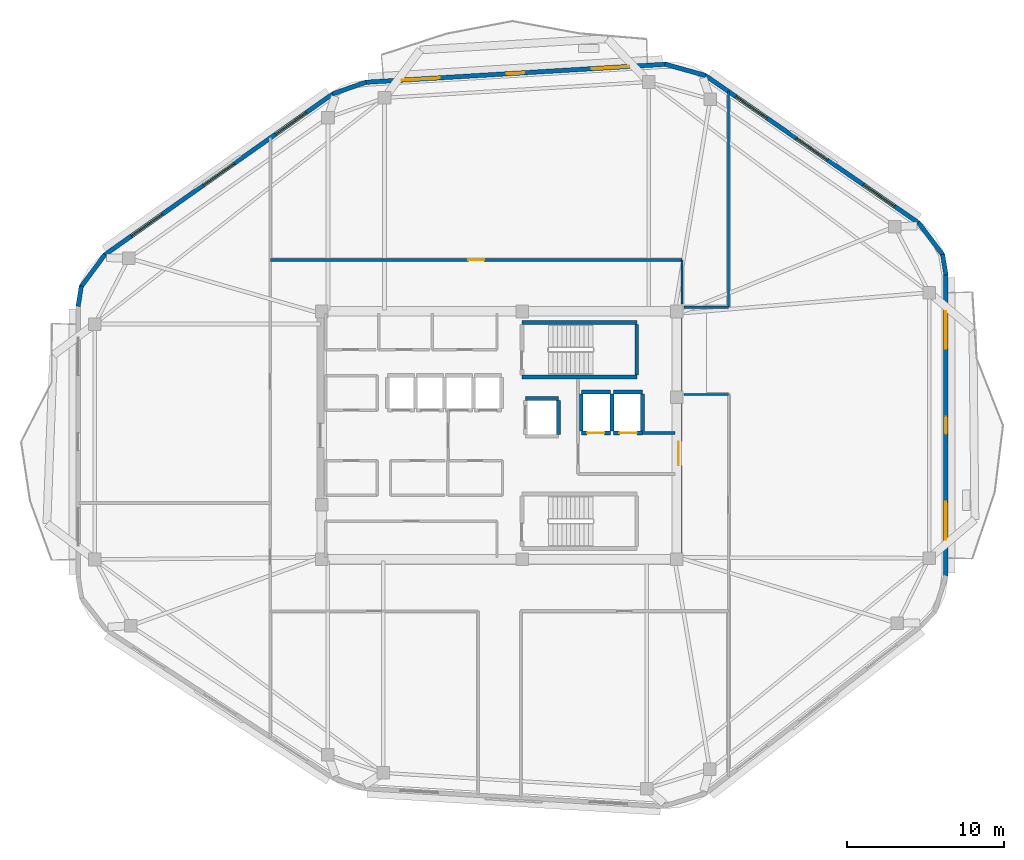
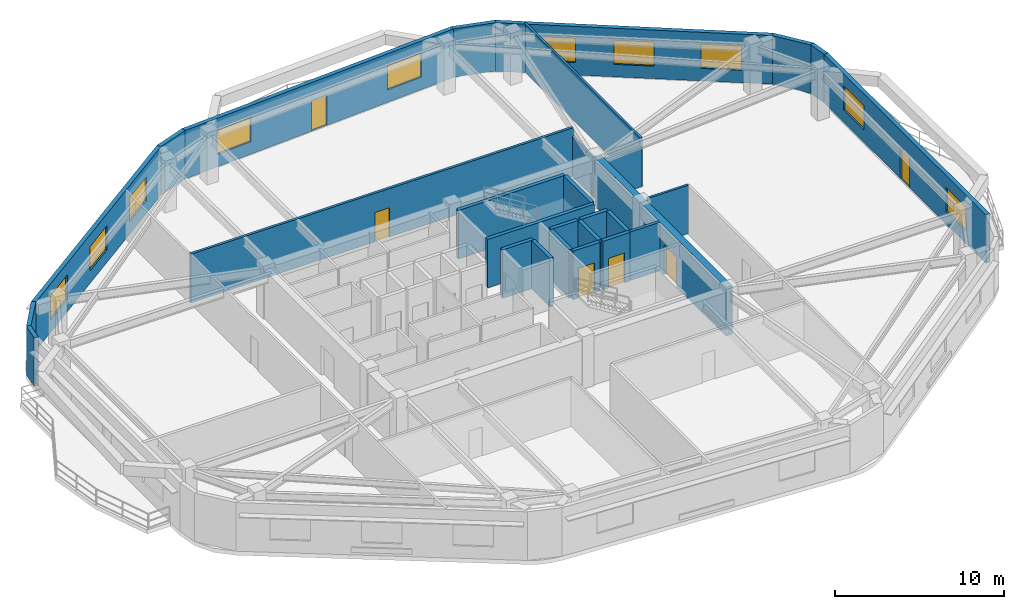
# One storey, part 5 of 9: 29 walls, 10 windows, 6 doors, 16 openings.
"""IFC4 building model written with IfcOpenShell, lengths in metres."""

from ifc_helpers import new_model, si_unit, direction, frame, frame_2d, origin, place, context, subcontext, project, spatial, rectangle, extrude, material, layer, layer_set, type_object, element, fill, save


model = new_model("IFC4")

# Units and contexts
model_context = context("Model", 3, precision=1e-05, world=origin(), true_north=direction((0.0, 1.0)))
body_context = subcontext(model_context, "Body", "Model", "MODEL_VIEW")
ifc_project = project(units=[si_unit("LENGTHUNIT", "METRE"), si_unit("AREAUNIT", "SQUARE_METRE"), si_unit("VOLUMEUNIT", "CUBIC_METRE"), si_unit("PLANEANGLEUNIT", "RADIAN"), si_unit("MASSUNIT", "GRAM", prefix="KILO")], contexts=[model_context])

# Site, building, storey
site_placement = place(None, origin())
site = spatial("IfcSite", under=ifc_project, at=site_placement, CompositionType="ELEMENT")
building_placement = place(site_placement, origin())
building = spatial("IfcBuilding", under=site, at=building_placement, Name="Zulverin Broadcast Headquarters", CompositionType="ELEMENT")
storey_placement = place(building_placement, frame((0.0, 0.0, 247.800048828125)))
storey = spatial("IfcBuildingStorey", under=building, at=storey_placement, Name="L63", CompositionType="ELEMENT", Elevation=247.800048828125)

# Wall, opening, door
ifc_material_1 = material(Name="Concrete C50/60", Category="concrete")
ifc_layer_1 = layer(ifc_material_1, 0.449951171875, Name="Concrete C50/60", Category="concrete")
ifc_layer_set_1 = layer_set([ifc_layer_1], Name="Concrete C50/60")
wall_type_1 = type_object("IfcWallType", Name="WL-CORE-450", PredefinedType="SHEAR", material=ifc_layer_set_1)
wall_1_placement = place(storey_placement, frame((48.375, 17.449951171875, 0.0), z_axis=(0.0, 0.0, 1.0), x_axis=(0.0, 1.0, 0.0)))
wall_1 = element("IfcWall", 1, at=wall_1_placement, inside=storey, type_object=wall_type_1, Name="L63 Core East Shear Wall", PredefinedType="SHEAR", context=body_context, shape_type="SweptSolid", body=[
    extrude(rectangle(XDim=15.5, YDim=0.449951171875, at=frame_2d((7.75, 0.0))), origin(), (0.0, 0.0, 1.0), 3.510009765625),
])
opening_1_placement = place(wall_1_placement, frame((5.85009765625, 0.0, 0.0)))
opening_1 = element("IfcOpeningElement", 2, at=opening_1_placement, cuts=wall_1, Name="Opening D-L63-CE1", PredefinedType="OPENING", context=body_context, shape_type="SweptSolid", body=[
    extrude(rectangle(XDim=1.5, YDim=2.14990234375, at=frame_2d((0.75, 1.074951171875))), frame((0.0, 0.23486328125, 0.0), z_axis=(0.0, -1.0, 0.0), x_axis=(1.0, 0.0, 0.0)), (0.0, 0.0, 1.0), 0.469970703125),
])
ifc_material_2 = material(Name="Fire-rated glazed steel frame", Category="steel")
door_type_1 = type_object("IfcDoorType", Name="DR-COR-1500", OperationType="DOUBLE_DOOR_SINGLE_SWING", PredefinedType="DOOR", material=ifc_material_2)
door_1_placement = place(opening_1_placement, origin())
door_1 = element("IfcDoor", 3, at=door_1_placement, inside=storey, type_object=door_type_1, Name="L63 Firefighting Lobby East Corridor Door", OperationType="DOUBLE_DOOR_SINGLE_SWING", OverallHeight=2.14990234375, OverallWidth=1.5, PredefinedType="DOOR", context=body_context, shape_type="SweptSolid", body=[
    extrude(rectangle(XDim=1.5, YDim=2.14990234375, at=frame_2d((0.75, 1.074951171875))), frame((0.0, 0.02490234375, 0.0), z_axis=(0.0, -1.0, 0.0), x_axis=(1.0, 0.0, 0.0)), (0.0, 0.0, 1.0), 0.050048828125),
])
fill(opening_1, door_1)

# Wall, openings, door, windows
ifc_material_3 = material(Name="Insulated pale-metal clad concrete spandrel C40/50", Category="concrete")
ifc_layer_2 = layer(ifc_material_3, 0.280029296875, Name="Insulated pale-metal clad concrete spandrel C40/50", Category="concrete")
ifc_layer_set_2 = layer_set([ifc_layer_2], Name="Insulated pale-metal clad concrete spandrel C40/50")
wall_type_2 = type_object("IfcWallType", Name="WL-EXT-280", PredefinedType="STANDARD", material=ifc_layer_set_2)
wall_2_placement = place(storey_placement, frame((65.360107421875, 16.2578125, 0.0), z_axis=(0.0, 0.0, 1.0), x_axis=(0.0, 1.0, 0.0)))
wall_2 = element("IfcWall", 4, at=wall_2_placement, inside=storey, type_object=wall_type_2, Name="L63 Pale-Metal Clad Spandrel Wall 3", PredefinedType="STANDARD", context=body_context, shape_type="SweptSolid", body=[
    extrude(rectangle(XDim=19.16796875, YDim=0.280029296875, at=frame_2d((9.583984375, 0.0))), origin(), (0.0, 0.0, 1.0), 3.510009765625),
])
opening_2_placement = place(wall_2_placement, frame((9.033935546875, 0.0, 0.0)))
opening_2 = element("IfcOpeningElement", 5, at=opening_2_placement, cuts=wall_2, Name="Opening D-L63-TR3", PredefinedType="OPENING", context=body_context, shape_type="SweptSolid", body=[
    extrude(rectangle(XDim=1.10009765625, YDim=2.199951171875, at=frame_2d((0.550048828125, 1.10009765625))), frame((0.0, 0.14990234375, 0.0), z_axis=(0.0, -1.0, 0.0), x_axis=(1.0, 0.0, 0.0)), (0.0, 0.0, 1.0), 0.300048828125),
])
opening_3_placement = place(wall_2_placement, frame((2.327880859375, 0.0, 0.89990234375)))
opening_3 = element("IfcOpeningElement", 6, at=opening_3_placement, cuts=wall_2, Name="Opening W-L63-E31", PredefinedType="OPENING", context=body_context, shape_type="SweptSolid", body=[
    extrude(rectangle(XDim=2.39990234375, YDim=1.75, at=frame_2d((1.199951171875, 0.875))), frame((0.0, 0.14990234375, 0.0), z_axis=(0.0, -1.0, 0.0), x_axis=(1.0, 0.0, 0.0)), (0.0, 0.0, 1.0), 0.300048828125),
])
opening_4_placement = place(wall_2_placement, frame((14.43994140625, 0.0, 0.89990234375)))
opening_4 = element("IfcOpeningElement", 7, at=opening_4_placement, cuts=wall_2, Name="Opening W-L63-E32", PredefinedType="OPENING", context=body_context, shape_type="SweptSolid", body=[
    extrude(rectangle(XDim=2.39990234375, YDim=1.75, at=frame_2d((1.199951171875, 0.875))), frame((0.0, 0.14990234375, 0.0), z_axis=(0.0, -1.0, 0.0), x_axis=(1.0, 0.0, 0.0)), (0.0, 0.0, 1.0), 0.300048828125),
])
ifc_material_4 = material(Name="Thermally broken aluminium glazed", Category="aluminium")
door_type_2 = type_object("IfcDoorType", Name="DR-TERR-1100", OperationType="SINGLE_SWING_RIGHT", PredefinedType="DOOR", material=ifc_material_4)
door_2_placement = place(opening_2_placement, origin())
door_2 = element("IfcDoor", 8, at=door_2_placement, inside=storey, type_object=door_type_2, Name="L63 Planted Terrace Glazed Access Door 3", OperationType="SINGLE_SWING_RIGHT", OverallHeight=2.199951171875, OverallWidth=1.10009765625, PredefinedType="DOOR", context=body_context, shape_type="SweptSolid", body=[
    extrude(rectangle(XDim=1.10009765625, YDim=2.199951171875, at=frame_2d((0.550048828125, 1.10009765625))), frame((0.0, 0.02490234375, 0.0), z_axis=(0.0, -1.0, 0.0), x_axis=(1.0, 0.0, 0.0)), (0.0, 0.0, 1.0), 0.050048828125),
])
fill(opening_2, door_2)
ifc_material_5 = material(Name="Pale anodized aluminium frame with solar-control low-E double glazing", Category="aluminium")
window_type = type_object("IfcWindowType", Name="WIN-RIB-2400", PartitioningType="SINGLE_PANEL", PredefinedType="WINDOW", material=ifc_material_5)
window_1_placement = place(opening_3_placement, origin())
window_1 = element("IfcWindow", 9, at=window_1_placement, inside=storey, type_object=window_type, Name="L63 Ribbon Glazing Window 3 1", OverallHeight=1.75, OverallWidth=2.39990234375, PartitioningType="SINGLE_PANEL", PredefinedType="WINDOW", context=body_context, shape_type="SweptSolid", body=[
    extrude(rectangle(XDim=2.39990234375, YDim=1.75, at=frame_2d((1.199951171875, 0.875))), frame((0.0, 0.030029296875, 0.0), z_axis=(0.0, -1.0, 0.0), x_axis=(1.0, 0.0, 0.0)), (0.0, 0.0, 1.0), 0.06005859375),
])
fill(opening_3, window_1)
window_2_placement = place(opening_4_placement, origin())
window_2 = element("IfcWindow", 10, at=window_2_placement, inside=storey, type_object=window_type, Name="L63 Ribbon Glazing Window 3 2", OverallHeight=1.75, OverallWidth=2.39990234375, PartitioningType="SINGLE_PANEL", PredefinedType="WINDOW", context=body_context, shape_type="SweptSolid", body=[
    extrude(rectangle(XDim=2.39990234375, YDim=1.75, at=frame_2d((1.199951171875, 0.875))), frame((0.0, 0.030029296875, 0.0), z_axis=(0.0, -1.0, 0.0), x_axis=(1.0, 0.0, 0.0)), (0.0, 0.0, 1.0), 0.06005859375),
])
fill(opening_4, window_2)

# Wall, openings, windows
wall_3_placement = place(storey_placement, frame((63.6513671875, 38.683349609375, 0.0), z_axis=(0.0, 0.0, 1.0), x_axis=(-0.822655095, 0.568540759022, 0.0)))
wall_3 = element("IfcWall", 11, at=wall_3_placement, inside=storey, type_object=wall_type_2, Name="L63 Pale-Metal Clad Spandrel Wall 4", PredefinedType="STANDARD", context=body_context, shape_type="SweptSolid", body=[
    extrude(rectangle(XDim=16.52783203125, YDim=0.280029296875, at=frame_2d((8.263916015625, 0.0))), origin(), (0.0, 0.0, 1.0), 3.510009765625),
])
opening_5_placement = place(wall_3_placement, frame((1.887939453125, 0.0, 0.89990234375)))
opening_5 = element("IfcOpeningElement", 12, at=opening_5_placement, cuts=wall_3, Name="Opening W-L63-E41", PredefinedType="OPENING", context=body_context, shape_type="SweptSolid", body=[
    extrude(rectangle(XDim=2.39990234375, YDim=1.75, at=frame_2d((1.199951171875, 0.875))), frame((0.0, 0.14990234375, 0.0), z_axis=(0.0, -1.0, 0.0), x_axis=(1.0, 0.0, 0.0)), (0.0, 0.0, 1.0), 0.300048828125),
])
opening_6_placement = place(wall_3_placement, frame((7.06396484375, 0.0, 0.89990234375)))
opening_6 = element("IfcOpeningElement", 13, at=opening_6_placement, cuts=wall_3, Name="Opening W-L63-E42", PredefinedType="OPENING", context=body_context, shape_type="SweptSolid", body=[
    extrude(rectangle(XDim=2.39990234375, YDim=1.75, at=frame_2d((1.199951171875, 0.875))), frame((0.0, 0.14990234375, 0.0), z_axis=(0.0, -1.0, 0.0), x_axis=(1.0, 0.0, 0.0)), (0.0, 0.0, 1.0), 0.300048828125),
])
opening_7_placement = place(wall_3_placement, frame((11.739990234375, 0.0, 0.89990234375)))
opening_7 = element("IfcOpeningElement", 14, at=opening_7_placement, cuts=wall_3, Name="Opening W-L63-E43", PredefinedType="OPENING", context=body_context, shape_type="SweptSolid", body=[
    extrude(rectangle(XDim=2.39990234375, YDim=1.75, at=frame_2d((1.199951171875, 0.875))), frame((0.0, 0.14990234375, 0.0), z_axis=(0.0, -1.0, 0.0), x_axis=(1.0, 0.0, 0.0)), (0.0, 0.0, 1.0), 0.300048828125),
])
window_3_placement = place(opening_5_placement, origin())
window_3 = element("IfcWindow", 15, at=window_3_placement, inside=storey, type_object=window_type, Name="L63 Ribbon Glazing Window 4 1", OverallHeight=1.75, OverallWidth=2.39990234375, PartitioningType="SINGLE_PANEL", PredefinedType="WINDOW", context=body_context, shape_type="SweptSolid", body=[
    extrude(rectangle(XDim=2.39990234375, YDim=1.75, at=frame_2d((1.199951171875, 0.875))), frame((0.0, 0.030029296875, 0.0), z_axis=(0.0, -1.0, 0.0), x_axis=(1.0, 0.0, 0.0)), (0.0, 0.0, 1.0), 0.06005859375),
])
fill(opening_5, window_3)
window_4_placement = place(opening_6_placement, origin())
window_4 = element("IfcWindow", 16, at=window_4_placement, inside=storey, type_object=window_type, Name="L63 Ribbon Glazing Window 4 2", OverallHeight=1.75, OverallWidth=2.39990234375, PartitioningType="SINGLE_PANEL", PredefinedType="WINDOW", context=body_context, shape_type="SweptSolid", body=[
    extrude(rectangle(XDim=2.39990234375, YDim=1.75, at=frame_2d((1.199951171875, 0.875))), frame((0.0, 0.030029296875, 0.0), z_axis=(0.0, -1.0, 0.0), x_axis=(1.0, 0.0, 0.0)), (0.0, 0.0, 1.0), 0.06005859375),
])
fill(opening_6, window_4)
window_5_placement = place(opening_7_placement, origin())
window_5 = element("IfcWindow", 17, at=window_5_placement, inside=storey, type_object=window_type, Name="L63 Ribbon Glazing Window 4 3", OverallHeight=1.75, OverallWidth=2.39990234375, PartitioningType="SINGLE_PANEL", PredefinedType="WINDOW", context=body_context, shape_type="SweptSolid", body=[
    extrude(rectangle(XDim=2.39990234375, YDim=1.75, at=frame_2d((1.199951171875, 0.875))), frame((0.0, 0.030029296875, 0.0), z_axis=(0.0, -1.0, 0.0), x_axis=(1.0, 0.0, 0.0)), (0.0, 0.0, 1.0), 0.06005859375),
])
fill(opening_7, window_5)

# Wall, openings, door, windows
wall_4_placement = place(storey_placement, frame((47.56591796875, 48.775390625, 0.0), z_axis=(0.0, 0.0, 1.0), x_axis=(-0.998202767485, -0.059926913695, 0.0)))
wall_4 = element("IfcWall", 18, at=wall_4_placement, inside=storey, type_object=wall_type_2, Name="L63 Pale-Metal Clad Spandrel Wall 5", PredefinedType="STANDARD", context=body_context, shape_type="SweptSolid", body=[
    extrude(rectangle(XDim=19.111083984375, YDim=0.280029296875, at=frame_2d((9.5556640625, 0.0))), origin(), (0.0, 0.0, 1.0), 3.510009765625),
])
opening_8_placement = place(wall_4_placement, frame((9.00537109375, 0.0, 0.0)))
opening_8 = element("IfcOpeningElement", 19, at=opening_8_placement, cuts=wall_4, Name="Opening D-L63-TR5", PredefinedType="OPENING", context=body_context, shape_type="SweptSolid", body=[
    extrude(rectangle(XDim=1.10009765625, YDim=2.199951171875, at=frame_2d((0.550048828125, 1.10009765625))), frame((0.0, 0.14990234375, 0.0), z_axis=(0.0, -1.0, 0.0), x_axis=(1.0, 0.0, 0.0)), (0.0, 0.0, 1.0), 0.300048828125),
])
opening_9_placement = place(wall_4_placement, frame((2.318603515625, 0.0, 0.89990234375)))
opening_9 = element("IfcOpeningElement", 20, at=opening_9_placement, cuts=wall_4, Name="Opening W-L63-E51", PredefinedType="OPENING", context=body_context, shape_type="SweptSolid", body=[
    extrude(rectangle(XDim=2.39990234375, YDim=1.75, at=frame_2d((1.199951171875, 0.875))), frame((0.0, 0.14990234375, 0.0), z_axis=(0.0, -1.0, 0.0), x_axis=(1.0, 0.0, 0.0)), (0.0, 0.0, 1.0), 0.300048828125),
])
opening_10_placement = place(wall_4_placement, frame((14.392333984375, 0.0, 0.89990234375)))
opening_10 = element("IfcOpeningElement", 21, at=opening_10_placement, cuts=wall_4, Name="Opening W-L63-E52", PredefinedType="OPENING", context=body_context, shape_type="SweptSolid", body=[
    extrude(rectangle(XDim=2.39990234375, YDim=1.75, at=frame_2d((1.199951171875, 0.875))), frame((0.0, 0.14990234375, 0.0), z_axis=(0.0, -1.0, 0.0), x_axis=(1.0, 0.0, 0.0)), (0.0, 0.0, 1.0), 0.300048828125),
])
door_3_placement = place(opening_8_placement, origin())
door_3 = element("IfcDoor", 22, at=door_3_placement, inside=storey, type_object=door_type_2, Name="L63 Planted Terrace Glazed Access Door 5", OperationType="SINGLE_SWING_RIGHT", OverallHeight=2.199951171875, OverallWidth=1.10009765625, PredefinedType="DOOR", context=body_context, shape_type="SweptSolid", body=[
    extrude(rectangle(XDim=1.10009765625, YDim=2.199951171875, at=frame_2d((0.550048828125, 1.10009765625))), frame((0.0, 0.02490234375, 0.0), z_axis=(0.0, -1.0, 0.0), x_axis=(1.0, 0.0, 0.0)), (0.0, 0.0, 1.0), 0.050048828125),
])
fill(opening_8, door_3)
window_6_placement = place(opening_9_placement, origin())
window_6 = element("IfcWindow", 23, at=window_6_placement, inside=storey, type_object=window_type, Name="L63 Ribbon Glazing Window 5 1", OverallHeight=1.75, OverallWidth=2.39990234375, PartitioningType="SINGLE_PANEL", PredefinedType="WINDOW", context=body_context, shape_type="SweptSolid", body=[
    extrude(rectangle(XDim=2.39990234375, YDim=1.75, at=frame_2d((1.199951171875, 0.875))), frame((0.0, 0.030029296875, 0.0), z_axis=(0.0, -1.0, 0.0), x_axis=(1.0, 0.0, 0.0)), (0.0, 0.0, 1.0), 0.06005859375),
])
fill(opening_9, window_6)
window_7_placement = place(opening_10_placement, origin())
window_7 = element("IfcWindow", 24, at=window_7_placement, inside=storey, type_object=window_type, Name="L63 Ribbon Glazing Window 5 2", OverallHeight=1.75, OverallWidth=2.39990234375, PartitioningType="SINGLE_PANEL", PredefinedType="WINDOW", context=body_context, shape_type="SweptSolid", body=[
    extrude(rectangle(XDim=2.39990234375, YDim=1.75, at=frame_2d((1.199951171875, 0.875))), frame((0.0, 0.030029296875, 0.0), z_axis=(0.0, -1.0, 0.0), x_axis=(1.0, 0.0, 0.0)), (0.0, 0.0, 1.0), 0.06005859375),
])
fill(opening_10, window_7)

# Wall, openings, windows
wall_5_placement = place(storey_placement, frame((26.443115234375, 46.91259765625, 0.0), z_axis=(0.0, 0.0, 1.0), x_axis=(-0.817024179766, -0.576603407619, 0.0)))
wall_5 = element("IfcWall", 25, at=wall_5_placement, inside=storey, type_object=wall_type_2, Name="L63 Pale-Metal Clad Spandrel Wall 6", PredefinedType="STANDARD", context=body_context, shape_type="SweptSolid", body=[
    extrude(rectangle(XDim=17.77978515625, YDim=0.280029296875, at=frame_2d((8.889892578125, 0.0))), origin(), (0.0, 0.0, 1.0), 3.510009765625),
])
opening_11_placement = place(wall_5_placement, frame((2.0966796875, 0.0, 0.89990234375)))
opening_11 = element("IfcOpeningElement", 26, at=opening_11_placement, cuts=wall_5, Name="Opening W-L63-E61", PredefinedType="OPENING", context=body_context, shape_type="SweptSolid", body=[
    extrude(rectangle(XDim=2.39990234375, YDim=1.75, at=frame_2d((1.199951171875, 0.875))), frame((0.0, 0.14990234375, 0.0), z_axis=(0.0, -1.0, 0.0), x_axis=(1.0, 0.0, 0.0)), (0.0, 0.0, 1.0), 0.300048828125),
])
opening_12_placement = place(wall_5_placement, frame((7.68994140625, 0.0, 0.89990234375)))
opening_12 = element("IfcOpeningElement", 27, at=opening_12_placement, cuts=wall_5, Name="Opening W-L63-E62", PredefinedType="OPENING", context=body_context, shape_type="SweptSolid", body=[
    extrude(rectangle(XDim=2.39990234375, YDim=1.75, at=frame_2d((1.199951171875, 0.875))), frame((0.0, 0.14990234375, 0.0), z_axis=(0.0, -1.0, 0.0), x_axis=(1.0, 0.0, 0.0)), (0.0, 0.0, 1.0), 0.300048828125),
])
opening_13_placement = place(wall_5_placement, frame((13.283203125, 0.0, 0.89990234375)))
opening_13 = element("IfcOpeningElement", 28, at=opening_13_placement, cuts=wall_5, Name="Opening W-L63-E63", PredefinedType="OPENING", context=body_context, shape_type="SweptSolid", body=[
    extrude(rectangle(XDim=2.39990234375, YDim=1.75, at=frame_2d((1.199951171875, 0.875))), frame((0.0, 0.14990234375, 0.0), z_axis=(0.0, -1.0, 0.0), x_axis=(1.0, 0.0, 0.0)), (0.0, 0.0, 1.0), 0.300048828125),
])
window_8_placement = place(opening_11_placement, origin())
window_8 = element("IfcWindow", 29, at=window_8_placement, inside=storey, type_object=window_type, Name="L63 Ribbon Glazing Window 6 1", OverallHeight=1.75, OverallWidth=2.39990234375, PartitioningType="SINGLE_PANEL", PredefinedType="WINDOW", context=body_context, shape_type="SweptSolid", body=[
    extrude(rectangle(XDim=2.39990234375, YDim=1.75, at=frame_2d((1.199951171875, 0.875))), frame((0.0, 0.030029296875, 0.0), z_axis=(0.0, -1.0, 0.0), x_axis=(1.0, 0.0, 0.0)), (0.0, 0.0, 1.0), 0.06005859375),
])
fill(opening_11, window_8)
window_9_placement = place(opening_12_placement, origin())
window_9 = element("IfcWindow", 30, at=window_9_placement, inside=storey, type_object=window_type, Name="L63 Ribbon Glazing Window 6 2", OverallHeight=1.75, OverallWidth=2.39990234375, PartitioningType="SINGLE_PANEL", PredefinedType="WINDOW", context=body_context, shape_type="SweptSolid", body=[
    extrude(rectangle(XDim=2.39990234375, YDim=1.75, at=frame_2d((1.199951171875, 0.875))), frame((0.0, 0.030029296875, 0.0), z_axis=(0.0, -1.0, 0.0), x_axis=(1.0, 0.0, 0.0)), (0.0, 0.0, 1.0), 0.06005859375),
])
fill(opening_12, window_9)
window_10_placement = place(opening_13_placement, origin())
window_10 = element("IfcWindow", 31, at=window_10_placement, inside=storey, type_object=window_type, Name="L63 Ribbon Glazing Window 6 3", OverallHeight=1.75, OverallWidth=2.39990234375, PartitioningType="SINGLE_PANEL", PredefinedType="WINDOW", context=body_context, shape_type="SweptSolid", body=[
    extrude(rectangle(XDim=2.39990234375, YDim=1.75, at=frame_2d((1.199951171875, 0.875))), frame((0.0, 0.030029296875, 0.0), z_axis=(0.0, -1.0, 0.0), x_axis=(1.0, 0.0, 0.0)), (0.0, 0.0, 1.0), 0.06005859375),
])
fill(opening_13, window_10)

# Walls
wall_6_placement = place(storey_placement, frame((65.36181640625, 35.4033203125, 0.0), z_axis=(0.0, 0.0, 1.0), x_axis=(-0.160271674114, 0.987072940809, 0.0)))
element("IfcWall", 32, at=wall_6_placement, inside=storey, type_object=wall_type_2, Name="L63 Wind-Shaped Corner Spandrel Wall 3-1", PredefinedType="STANDARD", context=body_context, shape_type="SweptSolid", body=[
    extrude(rectangle(XDim=1.314697265625, YDim=0.280029296875, at=frame_2d((0.6572265625, 0.0))), origin(), (0.0, 0.0, 1.0), 3.510009765625),
])
wall_7_placement = place(storey_placement, frame((65.17724609375, 36.63916015625, 0.0), z_axis=(0.0, 0.0, 1.0), x_axis=(-0.600436386467, 0.799672524104, 0.0)))
element("IfcWall", 33, at=wall_7_placement, inside=storey, type_object=wall_type_2, Name="L63 Wind-Shaped Corner Spandrel Wall 3-2", PredefinedType="STANDARD", context=body_context, shape_type="SweptSolid", body=[
    extrude(rectangle(XDim=2.595458984375, YDim=0.280029296875, at=frame_2d((1.2978515625, 0.0))), origin(), (0.0, 0.0, 1.0), 3.510009765625),
])
wall_8_placement = place(storey_placement, frame((50.096435546875, 48.060546875, 0.0), z_axis=(0.0, 0.0, 1.0), x_axis=(-0.963108887091, 0.269112005688, 0.0)))
element("IfcWall", 34, at=wall_8_placement, inside=storey, type_object=wall_type_2, Name="L63 Wind-Shaped Corner Spandrel Wall 4-1", PredefinedType="STANDARD", context=body_context, shape_type="SweptSolid", body=[
    extrude(rectangle(XDim=2.67529296875, YDim=0.280029296875, at=frame_2d((1.337646484375, 0.0))), origin(), (0.0, 0.0, 1.0), 3.510009765625),
])
wall_9_placement = place(storey_placement, frame((28.527099609375, 47.6376953125, 0.0), z_axis=(0.0, 0.0, 1.0), x_axis=(-0.943686979207, -0.330839667022, 0.0)))
element("IfcWall", 35, at=wall_9_placement, inside=storey, type_object=wall_type_2, Name="L63 Wind-Shaped Corner Spandrel Wall 5-1", PredefinedType="STANDARD", context=body_context, shape_type="SweptSolid", body=[
    extrude(rectangle(XDim=2.244873046875, YDim=0.280029296875, at=frame_2d((1.12255859375, 0.0))), origin(), (0.0, 0.0, 1.0), 3.510009765625),
])
wall_10_placement = place(storey_placement, frame((11.948486328125, 36.69189453125, 0.0), z_axis=(0.0, 0.0, 1.0), x_axis=(-0.595170751493, -0.803599263668, 0.0)))
element("IfcWall", 36, at=wall_10_placement, inside=storey, type_object=wall_type_2, Name="L63 Wind-Shaped Corner Spandrel Wall 6-1", PredefinedType="STANDARD", context=body_context, shape_type="SweptSolid", body=[
    extrude(rectangle(XDim=2.56982421875, YDim=0.280029296875, at=frame_2d((1.284912109375, 0.0))), origin(), (0.0, 0.0, 1.0), 3.510009765625),
])
wall_11_placement = place(storey_placement, frame((10.444580078125, 34.68798828125, 0.0), z_axis=(0.0, 0.0, 1.0), x_axis=(-0.158524605336, -0.987355027081, 0.0)))
element("IfcWall", 37, at=wall_11_placement, inside=storey, type_object=wall_type_2, Name="L63 Wind-Shaped Corner Spandrel Wall 6-2", PredefinedType="STANDARD", context=body_context, shape_type="SweptSolid", body=[
    extrude(rectangle(XDim=1.30126953125, YDim=0.280029296875, at=frame_2d((0.650634765625, 0.0))), origin(), (0.0, 0.0, 1.0), 3.510009765625),
])
ifc_material_6 = material(Name="Concrete C40/50", Category="concrete")
ifc_layer_3 = layer(ifc_material_6, 0.199951171875, Name="Concrete C40/50", Category="concrete")
ifc_layer_set_3 = layer_set([ifc_layer_3], Name="Concrete C40/50")
wall_type_3 = type_object("IfcWallType", Name="WL-FFL-200", PredefinedType="SOLIDWALL", material=ifc_layer_set_3)
wall_12_placement = place(storey_placement, frame((46.10009765625, 25.35009765625, 0.0), z_axis=(0.0, 0.0, 1.0), x_axis=(1.0, 0.0, 0.0)))
element("IfcWall", 38, at=wall_12_placement, inside=storey, type_object=wall_type_3, Name="L63 Firefighting Lift Lobby North Wall", PredefinedType="SOLIDWALL", context=body_context, shape_type="SweptSolid", body=[
    extrude(rectangle(XDim=2.0498046875, YDim=0.199951171875, at=frame_2d((1.02490234375, 0.0))), origin(), (0.0, 0.0, 1.0), 3.510009765625),
])
ifc_material_7 = material(Name="Fire-rated gypsum stud partition", Category="gypsum")
ifc_layer_4 = layer(ifc_material_7, 0.14990234375, Name="Fire-rated gypsum stud partition", Category="gypsum")
ifc_layer_set_4 = layer_set([ifc_layer_4], Name="Fire-rated gypsum stud partition")
wall_type_4 = type_object("IfcWallType", Name="WL-PART-150", PredefinedType="PARTITIONING", material=ifc_layer_set_4)
wall_13_placement = place(storey_placement, frame((51.550048828125, 33.35009765625, 0.0), z_axis=(0.0, 0.0, 1.0), x_axis=(0.0, 1.0, 0.0)))
element("IfcWall", 39, at=wall_13_placement, inside=storey, type_object=wall_type_4, Name="L63 Room Partition Wall RP-02", PredefinedType="PARTITIONING", context=body_context, shape_type="SweptSolid", body=[
    extrude(rectangle(XDim=13.726806640625, YDim=0.14990234375, at=frame_2d((6.86328125, 0.0))), origin(), (0.0, 0.0, 1.0), 3.510009765625),
])
wall_14_placement = place(storey_placement, frame((48.60009765625, 33.5400390625, 0.0), z_axis=(0.0, 0.0, 1.0), x_axis=(0.0, 1.0, 0.0)))
element("IfcWall", 40, at=wall_14_placement, inside=storey, type_object=wall_type_4, Name="L63 Gallery Partition Wall CG-03", PredefinedType="PARTITIONING", context=body_context, shape_type="SweptSolid", body=[
    extrude(rectangle(XDim=2.81005859375, YDim=0.14990234375, at=frame_2d((1.405029296875, 0.0))), origin(), (0.0, 0.0, 1.0), 2.892822265625),
])
wall_15_placement = place(storey_placement, frame((48.739990234375, 27.800048828125, 0.0), z_axis=(0.0, 0.0, 1.0), x_axis=(1.0, 0.0, 0.0)))
element("IfcWall", 41, at=wall_15_placement, inside=storey, type_object=wall_type_4, Name="L63 Gallery Partition Wall CG-10", PredefinedType="PARTITIONING", context=body_context, shape_type="SweptSolid", body=[
    extrude(rectangle(XDim=2.81005859375, YDim=0.14990234375, at=frame_2d((1.405029296875, 0.0))), origin(), (0.0, 0.0, 1.0), 3.510009765625),
])
wall_16_placement = place(storey_placement, frame((48.739990234375, 33.35009765625, 0.0), z_axis=(0.0, 0.0, 1.0), x_axis=(1.0, 0.0, 0.0)))
element("IfcWall", 42, at=wall_16_placement, inside=storey, type_object=wall_type_4, Name="L63 Room Partition Wall RP-11", PredefinedType="PARTITIONING", context=body_context, shape_type="SweptSolid", body=[
    extrude(rectangle(XDim=2.81005859375, YDim=0.14990234375, at=frame_2d((1.405029296875, 0.0))), origin(), (0.0, 0.0, 1.0), 2.892822265625),
])

# Wall, opening, door
ifc_material_8 = material(Name="Fire-rated acoustic stud wall", Category="gypsum")
ifc_layer_5 = layer(ifc_material_8, 0.175048828125, Name="Fire-rated acoustic stud wall", Category="gypsum")
ifc_layer_set_5 = layer_set([ifc_layer_5], Name="Fire-rated acoustic stud wall")
wall_type_5 = type_object("IfcWallType", Name="WL-PART-175", PredefinedType="PARTITIONING", material=ifc_layer_set_5)
wall_17_placement = place(storey_placement, frame((22.449951171875, 36.35009765625, 0.0), z_axis=(0.0, 0.0, 1.0), x_axis=(1.0, 0.0, 0.0)))
wall_17 = element("IfcWall", 43, at=wall_17_placement, inside=storey, type_object=wall_type_5, Name="L63 Gallery Partition Wall CG-12", PredefinedType="PARTITIONING", context=body_context, shape_type="SweptSolid", body=[
    extrude(rectangle(XDim=26.150146484375, YDim=0.175048828125, at=frame_2d((13.0751953125, 0.0))), origin(), (0.0, 0.0, 1.0), 3.510009765625),
])
opening_14_placement = place(wall_17_placement, frame((12.574951171875, 0.0, 0.0)))
opening_14 = element("IfcOpeningElement", 44, at=opening_14_placement, cuts=wall_17, Name="Opening D-L63-01", PredefinedType="OPENING", context=body_context, shape_type="SweptSolid", body=[
    extrude(rectangle(XDim=1.0, YDim=2.1201171875, at=frame_2d((0.5, 1.06005859375))), frame((0.0, 0.097412109375, 0.0), z_axis=(0.0, -1.0, 0.0), x_axis=(1.0, 0.0, 0.0)), (0.0, 0.0, 1.0), 0.195068359375),
])
ifc_material_9 = material(Name="Hardwood veneer acoustic leaf", Category="wood")
door_type_3 = type_object("IfcDoorType", Name="DR-OFF-1000", OperationType="SINGLE_SWING_LEFT", PredefinedType="DOOR", material=ifc_material_9)
door_4_placement = place(opening_14_placement, origin())
door_4 = element("IfcDoor", 45, at=door_4_placement, inside=storey, type_object=door_type_3, Name="L63 Global Broadcast Command Workplace Door", OperationType="SINGLE_SWING_RIGHT", OverallHeight=2.1201171875, OverallWidth=1.0, PredefinedType="DOOR", context=body_context, shape_type="SweptSolid", body=[
    extrude(rectangle(XDim=1.0, YDim=2.1201171875, at=frame_2d((0.5, 1.06005859375))), frame((0.0, 0.02490234375, 0.0), z_axis=(0.0, -1.0, 0.0), x_axis=(1.0, 0.0, 0.0)), (0.0, 0.0, 1.0), 0.050048828125),
])
fill(opening_14, door_4)

# Walls
ifc_layer_6 = layer(ifc_material_1, 0.25, Name="Concrete C50/60", Category="concrete")
ifc_layer_set_6 = layer_set([ifc_layer_6], Name="Concrete C50/60")
wall_type_6 = type_object("IfcWallType", Name="WL-SHAFT-250", PredefinedType="SHEAR", material=ifc_layer_set_6)
for number, where, z_axis, x_axis, name in (
    (46, (38.425048828125, 28.925048828125, 0.0), (0.0, 0.0, 1.0), (1.0, 0.0, 0.0), "L63 ST-1 Enclosure Wall S"),
    (47, (38.425048828125, 32.375, 0.0), (0.0, 0.0, 1.0), (1.0, 0.0, 0.0), "L63 ST-1 Enclosure Wall N"),
):
    element("IfcWall", number, at=place(storey_placement, frame(where, z_axis=z_axis, x_axis=x_axis)), inside=storey, type_object=wall_type_6, Name=name, PredefinedType="SHEAR", context=body_context, shape_type="SweptSolid", body=[
        extrude(rectangle(XDim=7.300048828125, YDim=0.25, at=frame_2d((3.64990234375, 0.0))), origin(), (0.0, 0.0, 1.0), 3.510009765625),
    ])
wall_18_placement = place(storey_placement, frame((45.72509765625, 29.050048828125, 0.0), z_axis=(0.0, 0.0, 1.0), x_axis=(0.0, 1.0, 0.0)))
element("IfcWall", 48, at=wall_18_placement, inside=storey, type_object=wall_type_6, Name="L63 ST-1 Enclosure Wall E", PredefinedType="SHEAR", context=body_context, shape_type="SweptSolid", body=[
    extrude(rectangle(XDim=3.199951171875, YDim=0.25, at=frame_2d((1.60009765625, 0.0))), origin(), (0.0, 0.0, 1.0), 3.510009765625),
])

# Wall, opening, door
wall_19_placement = place(storey_placement, frame((42.199951171875, 25.35009765625, 0.0), z_axis=(0.0, 0.0, 1.0), x_axis=(1.0, 0.0, 0.0)))
wall_19 = element("IfcWall", 49, at=wall_19_placement, inside=storey, type_object=wall_type_6, Name="L63 Lift FFL-1 Shaft Wall S", PredefinedType="SHEAR", context=body_context, shape_type="SweptSolid", body=[
    extrude(rectangle(XDim=1.85009765625, YDim=0.25, at=frame_2d((0.925048828125, 0.0))), origin(), (0.0, 0.0, 1.0), 3.510009765625),
])
opening_15_placement = place(wall_19_placement, frame((0.375, 0.0, 0.0)))
opening_15 = element("IfcOpeningElement", 50, at=opening_15_placement, cuts=wall_19, Name="Opening LD-FFL-1-L63", PredefinedType="OPENING", context=body_context, shape_type="SweptSolid", body=[
    extrude(rectangle(XDim=1.10009765625, YDim=2.14990234375, at=frame_2d((0.550048828125, 1.074951171875))), frame((0.0, 0.135009765625, 0.0), z_axis=(0.0, -1.0, 0.0), x_axis=(1.0, 0.0, 0.0)), (0.0, 0.0, 1.0), 0.27001953125),
])
ifc_material_10 = material(Name="Fire-rated stainless landing door", Category="steel")
door_type_4 = type_object("IfcDoorType", Name="LD-FFL-1100", OperationType="DOUBLE_DOOR_SLIDING", PredefinedType="DOOR", material=ifc_material_10)
door_5_placement = place(opening_15_placement, origin())
door_5 = element("IfcDoor", 51, at=door_5_placement, inside=storey, type_object=door_type_4, Name="L63 Lift FFL-1 Sliding Landing Door", OperationType="DOUBLE_DOOR_SLIDING", OverallHeight=2.14990234375, OverallWidth=1.10009765625, PredefinedType="DOOR", context=body_context, shape_type="SweptSolid", body=[
    extrude(rectangle(XDim=1.10009765625, YDim=2.14990234375, at=frame_2d((0.550048828125, 1.074951171875))), frame((0.0, 0.02490234375, 0.0), z_axis=(0.0, -1.0, 0.0), x_axis=(1.0, 0.0, 0.0)), (0.0, 0.0, 1.0), 0.050048828125),
])
fill(opening_15, door_5)

# Walls
wall_20_placement = place(storey_placement, frame((42.199951171875, 27.949951171875, 0.0), z_axis=(0.0, 0.0, 1.0), x_axis=(1.0, 0.0, 0.0)))
element("IfcWall", 52, at=wall_20_placement, inside=storey, type_object=wall_type_6, Name="L63 Lift FFL-1 Shaft Wall N", PredefinedType="SHEAR", context=body_context, shape_type="SweptSolid", body=[
    extrude(rectangle(XDim=1.85009765625, YDim=0.25, at=frame_2d((0.925048828125, 0.0))), origin(), (0.0, 0.0, 1.0), 3.510009765625),
])
for number, where, z_axis, x_axis, name in (
    (53, (42.199951171875, 25.469970703125, 0.0), (0.0, 0.0, 1.0), (0.0, 1.0, 0.0), "L63 Lift FFL-1 Shaft Wall W"),
    (54, (44.14990234375, 25.469970703125, 0.0), (0.0, 0.0, 1.0), (0.0, 1.0, 0.0), "L63 Lift FFL-1 Shaft Wall E"),
):
    element("IfcWall", number, at=place(storey_placement, frame(where, z_axis=z_axis, x_axis=x_axis)), inside=storey, type_object=wall_type_6, Name=name, PredefinedType="SHEAR", context=body_context, shape_type="SweptSolid", body=[
        extrude(rectangle(XDim=2.360107421875, YDim=0.25, at=frame_2d((1.18017578125, 0.0))), origin(), (0.0, 0.0, 1.0), 3.510009765625),
    ])

# Wall, opening, door
wall_21_placement = place(storey_placement, frame((44.25, 25.35009765625, 0.0), z_axis=(0.0, 0.0, 1.0), x_axis=(1.0, 0.0, 0.0)))
wall_21 = element("IfcWall", 55, at=wall_21_placement, inside=storey, type_object=wall_type_6, Name="L63 Lift FFL-2 Shaft Wall S", PredefinedType="SHEAR", context=body_context, shape_type="SweptSolid", body=[
    extrude(rectangle(XDim=1.85009765625, YDim=0.25, at=frame_2d((0.925048828125, 0.0))), origin(), (0.0, 0.0, 1.0), 3.510009765625),
])
opening_16_placement = place(wall_21_placement, frame((0.375, 0.0, 0.0)))
opening_16 = element("IfcOpeningElement", 56, at=opening_16_placement, cuts=wall_21, Name="Opening LD-FFL-2-L63", PredefinedType="OPENING", context=body_context, shape_type="SweptSolid", body=[
    extrude(rectangle(XDim=1.10009765625, YDim=2.14990234375, at=frame_2d((0.550048828125, 1.074951171875))), frame((0.0, 0.135009765625, 0.0), z_axis=(0.0, -1.0, 0.0), x_axis=(1.0, 0.0, 0.0)), (0.0, 0.0, 1.0), 0.27001953125),
])
door_6_placement = place(opening_16_placement, origin())
door_6 = element("IfcDoor", 57, at=door_6_placement, inside=storey, type_object=door_type_4, Name="L63 Lift FFL-2 Sliding Landing Door", OperationType="DOUBLE_DOOR_SLIDING", OverallHeight=2.14990234375, OverallWidth=1.10009765625, PredefinedType="DOOR", context=body_context, shape_type="SweptSolid", body=[
    extrude(rectangle(XDim=1.10009765625, YDim=2.14990234375, at=frame_2d((0.550048828125, 1.074951171875))), frame((0.0, 0.02490234375, 0.0), z_axis=(0.0, -1.0, 0.0), x_axis=(1.0, 0.0, 0.0)), (0.0, 0.0, 1.0), 0.050048828125),
])
fill(opening_16, door_6)

# Walls
wall_22_placement = place(storey_placement, frame((44.25, 27.949951171875, 0.0), z_axis=(0.0, 0.0, 1.0), x_axis=(1.0, 0.0, 0.0)))
element("IfcWall", 58, at=wall_22_placement, inside=storey, type_object=wall_type_6, Name="L63 Lift FFL-2 Shaft Wall N", PredefinedType="SHEAR", context=body_context, shape_type="SweptSolid", body=[
    extrude(rectangle(XDim=1.85009765625, YDim=0.25, at=frame_2d((0.925048828125, 0.0))), origin(), (0.0, 0.0, 1.0), 3.510009765625),
])
wall_23_placement = place(storey_placement, frame((46.10009765625, 25.469970703125, 0.0), z_axis=(0.0, 0.0, 1.0), x_axis=(0.0, 1.0, 0.0)))
element("IfcWall", 59, at=wall_23_placement, inside=storey, type_object=wall_type_6, Name="L63 Lift FFL-2 Shaft Wall E", PredefinedType="SHEAR", context=body_context, shape_type="SweptSolid", body=[
    extrude(rectangle(XDim=2.360107421875, YDim=0.25, at=frame_2d((1.18017578125, 0.0))), origin(), (0.0, 0.0, 1.0), 3.510009765625),
])
wall_24_placement = place(storey_placement, frame((38.64990234375, 27.550048828125, 0.0), z_axis=(0.0, 0.0, 1.0), x_axis=(1.0, 0.0, 0.0)))
element("IfcWall", 60, at=wall_24_placement, inside=storey, type_object=wall_type_6, Name="L63 Lift SVL-1 Shaft Wall N", PredefinedType="SHEAR", context=body_context, shape_type="SweptSolid", body=[
    extrude(rectangle(XDim=2.10009765625, YDim=0.25, at=frame_2d((1.050048828125, 0.0))), origin(), (0.0, 0.0, 1.0), 3.510009765625),
])
wall_25_placement = place(storey_placement, frame((40.75, 25.27001953125, 0.0), z_axis=(0.0, 0.0, 1.0), x_axis=(0.0, 1.0, 0.0)))
element("IfcWall", 61, at=wall_25_placement, inside=storey, type_object=wall_type_6, Name="L63 Lift SVL-1 Shaft Wall E", PredefinedType="SHEAR", context=body_context, shape_type="SweptSolid", body=[
    extrude(rectangle(XDim=2.159912109375, YDim=0.25, at=frame_2d((1.080078125, 0.0))), origin(), (0.0, 0.0, 1.0), 3.510009765625),
])

save(model, "model.ifc")
